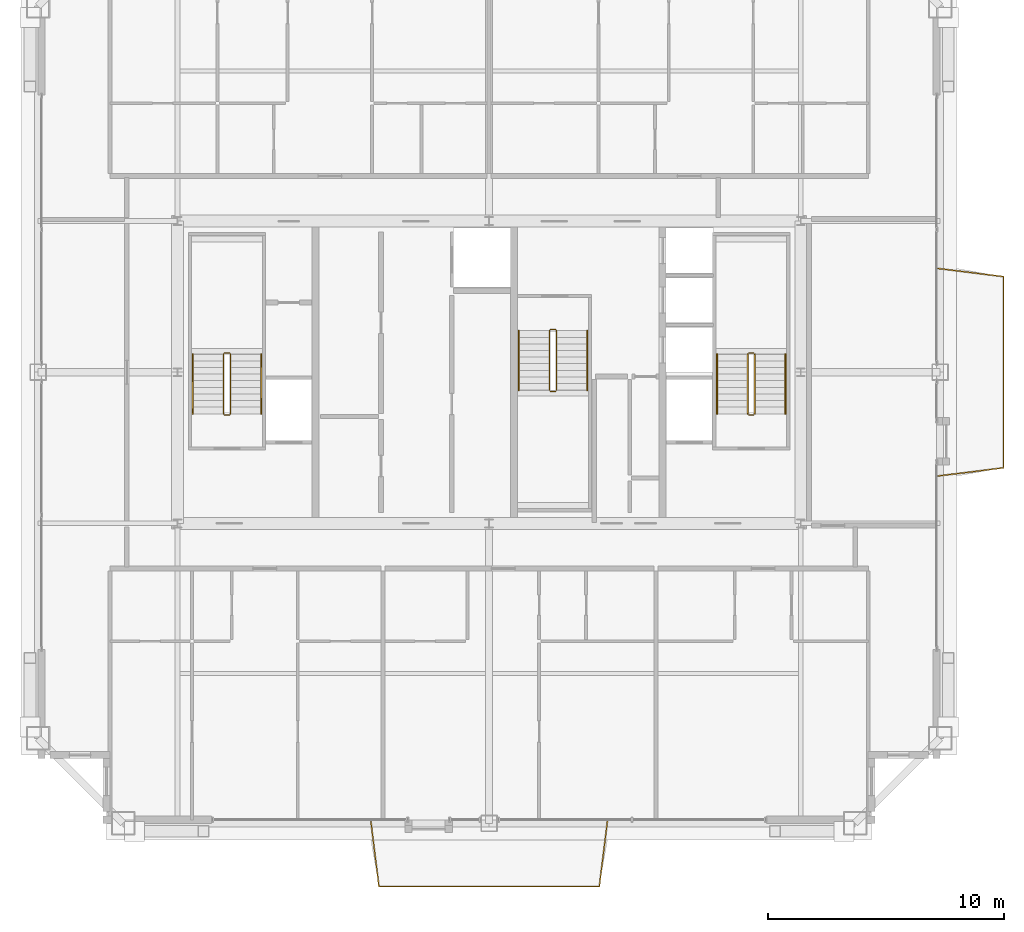
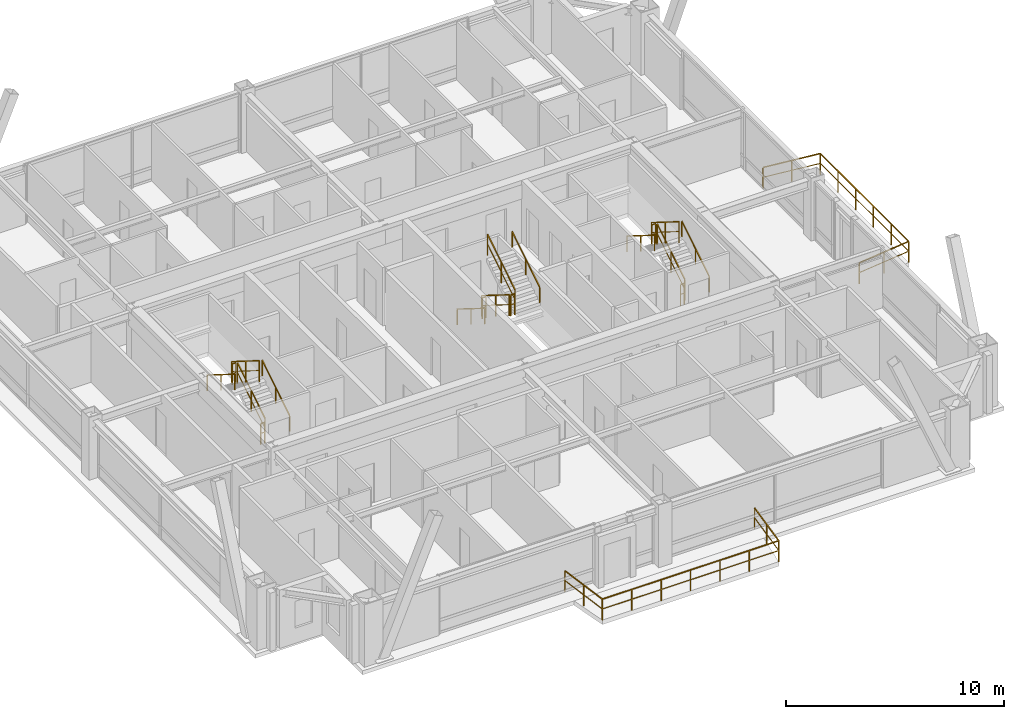
# One storey, part 35 of 35: 20 railings.
"""IFC4 building model written with IfcOpenShell, lengths in metres."""

from ifc_helpers import new_model, si_unit, direction, frame, origin, origin_2d, place, context, subcontext, project, spatial, rectangle, extrude, source, transform, mapped, material, layer, layer_set, type_object, element, save


model = new_model("IFC4")

# Units and contexts
model_context = context("Model", 3, precision=1e-05, world=origin(), true_north=direction((0.0, 1.0)))
body_context = subcontext(model_context, "Body", "Model", "MODEL_VIEW")
ifc_project = project(units=[si_unit("LENGTHUNIT", "METRE"), si_unit("AREAUNIT", "SQUARE_METRE"), si_unit("VOLUMEUNIT", "CUBIC_METRE"), si_unit("PLANEANGLEUNIT", "RADIAN"), si_unit("MASSUNIT", "GRAM", prefix="KILO"), si_unit("THERMODYNAMICTEMPERATUREUNIT", "KELVIN"), si_unit("POWERUNIT", "WATT")], contexts=[model_context])

# Site, building, storey
site_placement = place(None, origin())
site = spatial("IfcSite", under=ifc_project, at=site_placement, CompositionType="ELEMENT")
building_placement = place(site_placement, origin())
building = spatial("IfcBuilding", under=site, at=building_placement, Name="Yuzanri Waterfront Tower", CompositionType="ELEMENT")
storey_placement = place(building_placement, frame((0.0, 0.0, 335.699951171875)))
storey = spatial("IfcBuildingStorey", under=building, at=storey_placement, Name="L90", CompositionType="ELEMENT", Elevation=335.699951171875)

# Railings
ifc_material_1 = material(Name="Anodized Architectural Bronze", Category="metal")
ifc_layer_1 = layer(ifc_material_1, 0.080078125)
ifc_layer_set_1 = layer_set([ifc_layer_1], Name="Anodized Architectural Bronze")
railing_type_1 = type_object("IfcRailingType", Name="Laminated Glass and Bronze Balcony Guardrail 1200", PredefinedType="BALUSTRADE", material=ifc_layer_set_1)
shared_shape_1 = source(origin(), body_context, "Body", "SweptSolid", [
    extrude(rectangle(XDim=0.050048828125, YDim=0.050048828125, at=origin_2d()), frame((0.0, 0.0, 1.1748046875), z_axis=(0.12289548645, -0.992419618614, 0.0), x_axis=(0.992419618614, 0.12289548645, 0.0)), (0.0, 0.0, 1.0), 2.8486328125),
    extrude(rectangle(XDim=0.035888671875, YDim=0.030029296875, at=origin_2d()), frame((0.0, 0.0, 0.6240234375), z_axis=(0.12289548645, -0.992419618614, 0.0), x_axis=(0.992419618614, 0.12289548645, 0.0)), (0.0, 0.0, 1.0), 2.8486328125),
    extrude(rectangle(XDim=0.050048828125, YDim=0.050048828125, at=origin_2d()), frame((0.35009765625, -2.8271484375, 1.1748046875), z_axis=(1.0, 0.0, 0.0), x_axis=(0.0, 1.0, 0.0)), (0.0, 0.0, 1.0), 9.33203125),
    extrude(rectangle(XDim=0.035888671875, YDim=0.030029296875, at=origin_2d()), frame((0.35009765625, -2.8271484375, 0.6240234375), z_axis=(1.0, 0.0, 0.0), x_axis=(0.0, 1.0, 0.0)), (0.0, 0.0, 1.0), 9.33203125),
    extrude(rectangle(XDim=0.050048828125, YDim=0.050048828125, at=origin_2d()), frame((9.68212890625, -2.8271484375, 1.1748046875), z_axis=(0.12289548645, 0.992419618614, 0.0), x_axis=(-0.992419618614, 0.12289548645, 0.0)), (0.0, 0.0, 1.0), 2.8486328125),
    extrude(rectangle(XDim=0.035888671875, YDim=0.030029296875, at=origin_2d()), frame((9.68212890625, -2.8271484375, 0.6240234375), z_axis=(0.12289548645, 0.992419618614, 0.0), x_axis=(-0.992419618614, 0.12289548645, 0.0)), (0.0, 0.0, 1.0), 2.8486328125),
    extrude(rectangle(XDim=0.0458984375, YDim=0.0458984375, at=origin_2d()), origin(), (0.0, 0.0, 1.0), 1.14990234375),
    extrude(rectangle(XDim=0.0458984375, YDim=0.0458984375, at=origin_2d()), frame((0.175048828125, -1.41357421875, 0.0)), (0.0, 0.0, 1.0), 1.14990234375),
    extrude(rectangle(XDim=0.0458984375, YDim=0.0458984375, at=origin_2d()), frame((0.35009765625, -2.8271484375, 0.0)), (0.0, 0.0, 1.0), 1.14990234375),
    extrude(rectangle(XDim=0.0458984375, YDim=0.0458984375, at=origin_2d()), frame((1.905517578125, -2.8271484375, 0.0)), (0.0, 0.0, 1.0), 1.14990234375),
    extrude(rectangle(XDim=0.0458984375, YDim=0.0458984375, at=origin_2d()), frame((3.460693359375, -2.8271484375, 0.0)), (0.0, 0.0, 1.0), 1.14990234375),
    extrude(rectangle(XDim=0.0458984375, YDim=0.0458984375, at=origin_2d()), frame((5.01611328125, -2.8271484375, 0.0)), (0.0, 0.0, 1.0), 1.14990234375),
    extrude(rectangle(XDim=0.0458984375, YDim=0.0458984375, at=origin_2d()), frame((6.571533203125, -2.8271484375, 0.0)), (0.0, 0.0, 1.0), 1.14990234375),
    extrude(rectangle(XDim=0.0458984375, YDim=0.0458984375, at=origin_2d()), frame((8.126708984375, -2.8271484375, 0.0)), (0.0, 0.0, 1.0), 1.14990234375),
    extrude(rectangle(XDim=0.0458984375, YDim=0.0458984375, at=origin_2d()), frame((9.68212890625, -2.8271484375, 0.0)), (0.0, 0.0, 1.0), 1.14990234375),
    extrude(rectangle(XDim=0.0458984375, YDim=0.0458984375, at=origin_2d()), frame((9.857177734375, -1.41357421875, 0.0)), (0.0, 0.0, 1.0), 1.14990234375),
    extrude(rectangle(XDim=0.0458984375, YDim=0.0458984375, at=origin_2d()), frame((10.0322265625, 0.0, 0.0)), (0.0, 0.0, 1.0), 1.14990234375),
])
railing_1_placement = place(storey_placement, frame((31.98388671875, 6.85009765625, 0.0)))
element("IfcRailing", 1, at=railing_1_placement, inside=storey, type_object=railing_type_1, Name="L90 S Engawa Terrace Guardrail", PredefinedType="BALUSTRADE", context=body_context, shape_type="MappedRepresentation", body=[
    mapped(shared_shape_1, transform((0.0, 0.0, 0.0), scale=1.0)),
])
shared_shape_2 = source(origin(), body_context, "Body", "SweptSolid", [
    extrude(rectangle(XDim=0.050048828125, YDim=0.050048828125, at=origin_2d()), frame((0.0, 0.0, 1.1748046875), z_axis=(0.992419618614, 0.12289548645, 0.0), x_axis=(-0.12289548645, 0.992419618614, 0.0)), (0.0, 0.0, 1.0), 2.8486328125),
    extrude(rectangle(XDim=0.035888671875, YDim=0.030029296875, at=origin_2d()), frame((0.0, 0.0, 0.6240234375), z_axis=(0.992419618614, 0.12289548645, 0.0), x_axis=(-0.12289548645, 0.992419618614, 0.0)), (0.0, 0.0, 1.0), 2.8486328125),
    extrude(rectangle(XDim=0.050048828125, YDim=0.050048828125, at=origin_2d()), frame((2.8271484375, 0.35009765625, 1.1748046875), z_axis=(0.0, 1.0, 0.0), x_axis=(-1.0, 0.0, 0.0)), (0.0, 0.0, 1.0), 8.10009765625),
    extrude(rectangle(XDim=0.035888671875, YDim=0.030029296875, at=origin_2d()), frame((2.8271484375, 0.35009765625, 0.6240234375), z_axis=(0.0, 1.0, 0.0), x_axis=(-1.0, 0.0, 0.0)), (0.0, 0.0, 1.0), 8.10009765625),
    extrude(rectangle(XDim=0.050048828125, YDim=0.050048828125, at=origin_2d()), frame((2.8271484375, 8.4501953125, 1.1748046875), z_axis=(-0.992430067584, 0.122811078312, 0.0), x_axis=(-0.122811078312, -0.992430067584, 0.0)), (0.0, 0.0, 1.0), 2.8486328125),
    extrude(rectangle(XDim=0.035888671875, YDim=0.030029296875, at=origin_2d()), frame((2.8271484375, 8.4501953125, 0.6240234375), z_axis=(-0.992430067584, 0.122811078312, 0.0), x_axis=(-0.122811078312, -0.992430067584, 0.0)), (0.0, 0.0, 1.0), 2.8486328125),
    extrude(rectangle(XDim=0.0458984375, YDim=0.0458984375, at=origin_2d()), origin(), (0.0, 0.0, 1.0), 1.14990234375),
    extrude(rectangle(XDim=0.0458984375, YDim=0.0458984375, at=origin_2d()), frame((1.41357421875, 0.175048828125, 0.0)), (0.0, 0.0, 1.0), 1.14990234375),
    extrude(rectangle(XDim=0.0458984375, YDim=0.0458984375, at=origin_2d()), frame((2.8271484375, 0.35009765625, 0.0)), (0.0, 0.0, 1.0), 1.14990234375),
    extrude(rectangle(XDim=0.0458984375, YDim=0.0458984375, at=origin_2d()), frame((2.8271484375, 1.97021484375, 0.0)), (0.0, 0.0, 1.0), 1.14990234375),
    extrude(rectangle(XDim=0.0458984375, YDim=0.0458984375, at=origin_2d()), frame((2.8271484375, 3.590087890625, 0.0)), (0.0, 0.0, 1.0), 1.14990234375),
    extrude(rectangle(XDim=0.0458984375, YDim=0.0458984375, at=origin_2d()), frame((2.8271484375, 5.210205078125, 0.0)), (0.0, 0.0, 1.0), 1.14990234375),
    extrude(rectangle(XDim=0.0458984375, YDim=0.0458984375, at=origin_2d()), frame((2.8271484375, 6.830078125, 0.0)), (0.0, 0.0, 1.0), 1.14990234375),
    extrude(rectangle(XDim=0.0458984375, YDim=0.0458984375, at=origin_2d()), frame((2.8271484375, 8.4501953125, 0.0)), (0.0, 0.0, 1.0), 1.14990234375),
    extrude(rectangle(XDim=0.0458984375, YDim=0.0458984375, at=origin_2d()), frame((1.41357421875, 8.625, 0.0)), (0.0, 0.0, 1.0), 1.14990234375),
    extrude(rectangle(XDim=0.0458984375, YDim=0.0458984375, at=origin_2d()), frame((0.0, 8.800048828125, 0.0)), (0.0, 0.0, 1.0), 1.14990234375),
])
railing_2_placement = place(storey_placement, frame((55.949951171875, 21.39990234375, 0.0)))
element("IfcRailing", 2, at=railing_2_placement, inside=storey, type_object=railing_type_1, Name="L90 E Engawa Terrace Guardrail", PredefinedType="BALUSTRADE", context=body_context, shape_type="MappedRepresentation", body=[
    mapped(shared_shape_2, transform((0.0, 0.0, 0.0), scale=1.0)),
])
ifc_material_2 = material(Name="Painted Galvanized Fire Steel", Category="steel")
ifc_layer_2 = layer(ifc_material_2, 0.06005859375)
ifc_layer_set_2 = layer_set([ifc_layer_2], Name="Painted Galvanized Fire Steel")
railing_type_2 = type_object("IfcRailingType", Name="Painted Steel Stairwell Guardrail 1120", PredefinedType="GUARDRAIL", material=ifc_layer_set_2)
shared_shape_3 = source(origin(), body_context, "Body", "SweptSolid", [
    extrude(rectangle(XDim=0.050048828125, YDim=0.050048828125, at=origin_2d()), frame((0.0, 0.0, 1.1748046875), z_axis=(-1.0, 0.0, 0.0), x_axis=(0.0, -1.0, 0.0)), (0.0, 0.0, 1.0), 0.199951171875),
    extrude(rectangle(XDim=0.035888671875, YDim=0.030029296875, at=origin_2d()), frame((0.0, 0.0, 0.6240234375), z_axis=(-1.0, 0.0, 0.0), x_axis=(0.0, -1.0, 0.0)), (0.0, 0.0, 1.0), 0.199951171875),
    extrude(rectangle(XDim=0.0458984375, YDim=0.0458984375, at=origin_2d()), origin(), (0.0, 0.0, 1.0), 1.14990234375),
    extrude(rectangle(XDim=0.0458984375, YDim=0.0458984375, at=origin_2d()), frame((-0.199951171875, 0.0, 0.0)), (0.0, 0.0, 1.0), 1.14990234375),
])
for number, where, name in (
    (3, (26.0, 26.610107421875, 1.75), "L90 ST-01 stair guard 2"),
    (4, (26.0, 23.989990234375, 0.0), "L90 ST-01 stair guard 4"),
    (5, (48.199951171875, 26.610107421875, 1.75), "L90 ST-02 stair guard 2"),
    (6, (48.199951171875, 23.989990234375, 0.0), "L90 ST-02 stair guard 4"),
):
    element("IfcRailing", number, at=place(storey_placement, frame(where)), inside=storey, type_object=railing_type_2, Name=name, PredefinedType="GUARDRAIL", context=body_context, shape_type="MappedRepresentation", body=[
        mapped(shared_shape_3, transform((0.0, 0.0, 0.0), scale=1.0)),
    ])
shared_shape_4 = source(origin(), body_context, "Body", "SweptSolid", [
    extrude(rectangle(XDim=0.050048828125, YDim=0.050048828125, at=origin_2d()), frame((0.0, 0.0, 1.1748046875), z_axis=(0.0, 0.848007534815, 0.529984170421), x_axis=(-1.0, 0.0, 0.0)), (0.0, 0.0, 1.0), 2.9716796875),
    extrude(rectangle(XDim=0.035888671875, YDim=0.030029296875, at=origin_2d()), frame((0.0, 0.0, 0.6240234375), z_axis=(0.0, 0.848007534815, 0.529984170421), x_axis=(-1.0, 0.0, 0.0)), (0.0, 0.0, 1.0), 2.9716796875),
    extrude(rectangle(XDim=0.0458984375, YDim=0.0458984375, at=origin_2d()), origin(), (0.0, 0.0, 1.0), 1.14990234375),
    extrude(rectangle(XDim=0.0458984375, YDim=0.0458984375, at=origin_2d()), frame((0.0, 1.260009765625, 0.78759765625)), (0.0, 0.0, 1.0), 1.14990234375),
    extrude(rectangle(XDim=0.0458984375, YDim=0.0458984375, at=origin_2d()), frame((0.0, 2.52001953125, 1.574951171875)), (0.0, 0.0, 1.0), 1.14990234375),
])
for number, where, name in (
    (7, (26.050048828125, 24.0400390625, 0.175048828125), "L90 ST-01 stair guard 1"),
    (8, (48.25, 24.0400390625, 0.175048828125), "L90 ST-02 stair guard 1"),
    (9, (39.85009765625, 25.0400390625, 1.925048828125), "L90 ST-03 stair guard 3"),
):
    element("IfcRailing", number, at=place(storey_placement, frame(where)), inside=storey, type_object=railing_type_2, Name=name, PredefinedType="GUARDRAIL", context=body_context, shape_type="MappedRepresentation", body=[
        mapped(shared_shape_4, transform((0.0, 0.0, 0.0), scale=1.0)),
    ])
shared_shape_5 = source(origin(), body_context, "Body", "SweptSolid", [
    extrude(rectangle(XDim=0.050048828125, YDim=0.050048828125, at=origin_2d()), frame((0.0, 0.0, 1.1748046875), z_axis=(0.0, -0.848007534815, 0.529984170421), x_axis=(1.0, 0.0, 0.0)), (0.0, 0.0, 1.0), 2.9716796875),
    extrude(rectangle(XDim=0.035888671875, YDim=0.030029296875, at=origin_2d()), frame((0.0, 0.0, 0.6240234375), z_axis=(0.0, -0.848007534815, 0.529984170421), x_axis=(1.0, 0.0, 0.0)), (0.0, 0.0, 1.0), 2.9716796875),
    extrude(rectangle(XDim=0.0458984375, YDim=0.0458984375, at=origin_2d()), origin(), (0.0, 0.0, 1.0), 1.14990234375),
    extrude(rectangle(XDim=0.0458984375, YDim=0.0458984375, at=origin_2d()), frame((0.0, -1.260009765625, 0.78759765625)), (0.0, 0.0, 1.0), 1.14990234375),
    extrude(rectangle(XDim=0.0458984375, YDim=0.0458984375, at=origin_2d()), frame((0.0, -2.52001953125, 1.574951171875)), (0.0, 0.0, 1.0), 1.14990234375),
])
for number, where, name in (
    (10, (25.75, 26.56005859375, 1.925048828125), "L90 ST-01 stair guard 3"),
    (11, (47.949951171875, 26.56005859375, 1.925048828125), "L90 ST-02 stair guard 3"),
    (12, (39.550048828125, 27.56005859375, 0.175048828125), "L90 ST-03 stair guard 1"),
):
    element("IfcRailing", number, at=place(storey_placement, frame(where)), inside=storey, type_object=railing_type_2, Name=name, PredefinedType="GUARDRAIL", context=body_context, shape_type="MappedRepresentation", body=[
        mapped(shared_shape_5, transform((0.0, 0.0, 0.0), scale=1.0)),
    ])
ifc_material_3 = material(Name="Anodized Architectural Bronze", Category="metal")
ifc_layer_3 = layer(ifc_material_3, 0.050048828125)
ifc_layer_set_3 = layer_set([ifc_layer_3], Name="Anodized Architectural Bronze")
railing_type_3 = type_object("IfcRailingType", Name="Brushed Bronze Stair Pitch Handrail 920", PredefinedType="HANDRAIL", material=ifc_layer_set_3)
shared_shape_6 = source(origin(), body_context, "Body", "SweptSolid", [
    extrude(rectangle(XDim=0.050048828125, YDim=0.050048828125, at=origin_2d()), frame((0.0, 0.0, 0.875), z_axis=(0.0, 0.848007534815, 0.529984170421), x_axis=(-1.0, 0.0, 0.0)), (0.0, 0.0, 1.0), 2.9716796875),
    extrude(rectangle(XDim=0.0458984375, YDim=0.0458984375, at=origin_2d()), origin(), (0.0, 0.0, 1.0), 0.849853515625),
    extrude(rectangle(XDim=0.0458984375, YDim=0.0458984375, at=origin_2d()), frame((0.0, 1.260009765625, 0.78759765625)), (0.0, 0.0, 1.0), 0.849853515625),
    extrude(rectangle(XDim=0.0458984375, YDim=0.0458984375, at=origin_2d()), frame((0.0, 2.52001953125, 1.574951171875)), (0.0, 0.0, 1.0), 0.849853515625),
])
for number, where, name in (
    (13, (27.35009765625, 24.0400390625, 0.175048828125), "L90 ST-01 stair handrail 1"),
    (14, (49.550048828125, 24.0400390625, 0.175048828125), "L90 ST-02 stair handrail 1"),
    (15, (41.14990234375, 25.0400390625, 1.925048828125), "L90 ST-03 stair handrail 2"),
):
    element("IfcRailing", number, at=place(storey_placement, frame(where)), inside=storey, type_object=railing_type_3, Name=name, PredefinedType="HANDRAIL", context=body_context, shape_type="MappedRepresentation", body=[
        mapped(shared_shape_6, transform((0.0, 0.0, 0.0), scale=1.0)),
    ])
shared_shape_7 = source(origin(), body_context, "Body", "SweptSolid", [
    extrude(rectangle(XDim=0.050048828125, YDim=0.050048828125, at=origin_2d()), frame((0.0, 0.0, 0.875), z_axis=(0.0, -0.848007534815, 0.529984170421), x_axis=(1.0, 0.0, 0.0)), (0.0, 0.0, 1.0), 2.9716796875),
    extrude(rectangle(XDim=0.0458984375, YDim=0.0458984375, at=origin_2d()), origin(), (0.0, 0.0, 1.0), 0.849853515625),
    extrude(rectangle(XDim=0.0458984375, YDim=0.0458984375, at=origin_2d()), frame((0.0, -1.260009765625, 0.78759765625)), (0.0, 0.0, 1.0), 0.849853515625),
    extrude(rectangle(XDim=0.0458984375, YDim=0.0458984375, at=origin_2d()), frame((0.0, -2.52001953125, 1.574951171875)), (0.0, 0.0, 1.0), 0.849853515625),
])
for number, where, name in (
    (16, (24.449951171875, 26.56005859375, 1.925048828125), "L90 ST-01 stair handrail 2"),
    (17, (46.64990234375, 26.56005859375, 1.925048828125), "L90 ST-02 stair handrail 2"),
    (18, (38.25, 27.56005859375, 0.175048828125), "L90 ST-03 stair handrail 1"),
):
    element("IfcRailing", number, at=place(storey_placement, frame(where)), inside=storey, type_object=railing_type_3, Name=name, PredefinedType="HANDRAIL", context=body_context, shape_type="MappedRepresentation", body=[
        mapped(shared_shape_7, transform((0.0, 0.0, 0.0), scale=1.0)),
    ])
shared_shape_8 = source(origin(), body_context, "Body", "SweptSolid", [
    extrude(rectangle(XDim=0.050048828125, YDim=0.050048828125, at=origin_2d()), frame((0.0, 0.0, 1.1748046875), z_axis=(1.0, 0.0, 0.0), x_axis=(0.0, 1.0, 0.0)), (0.0, 0.0, 1.0), 0.199951171875),
    extrude(rectangle(XDim=0.035888671875, YDim=0.030029296875, at=origin_2d()), frame((0.0, 0.0, 0.6240234375), z_axis=(1.0, 0.0, 0.0), x_axis=(0.0, 1.0, 0.0)), (0.0, 0.0, 1.0), 0.199951171875),
    extrude(rectangle(XDim=0.0458984375, YDim=0.0458984375, at=origin_2d()), origin(), (0.0, 0.0, 1.0), 1.14990234375),
    extrude(rectangle(XDim=0.0458984375, YDim=0.0458984375, at=origin_2d()), frame((0.199951171875, 0.0, 0.0)), (0.0, 0.0, 1.0), 1.14990234375),
])
for number, where, name in (
    (19, (39.60009765625, 24.989990234375, 1.75), "L90 ST-03 stair guard 2"),
    (20, (39.60009765625, 27.610107421875, 0.0), "L90 ST-03 stair guard 4"),
):
    element("IfcRailing", number, at=place(storey_placement, frame(where)), inside=storey, type_object=railing_type_2, Name=name, PredefinedType="GUARDRAIL", context=body_context, shape_type="MappedRepresentation", body=[
        mapped(shared_shape_8, transform((0.0, 0.0, 0.0), scale=1.0)),
    ])

save(model, "model.ifc")
